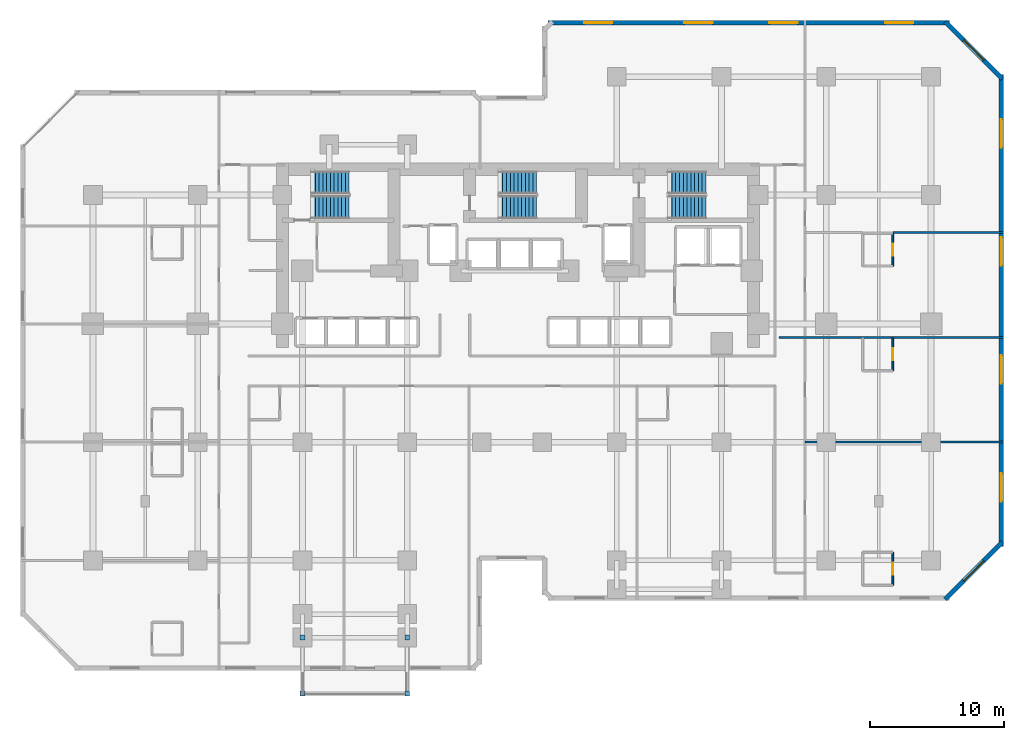
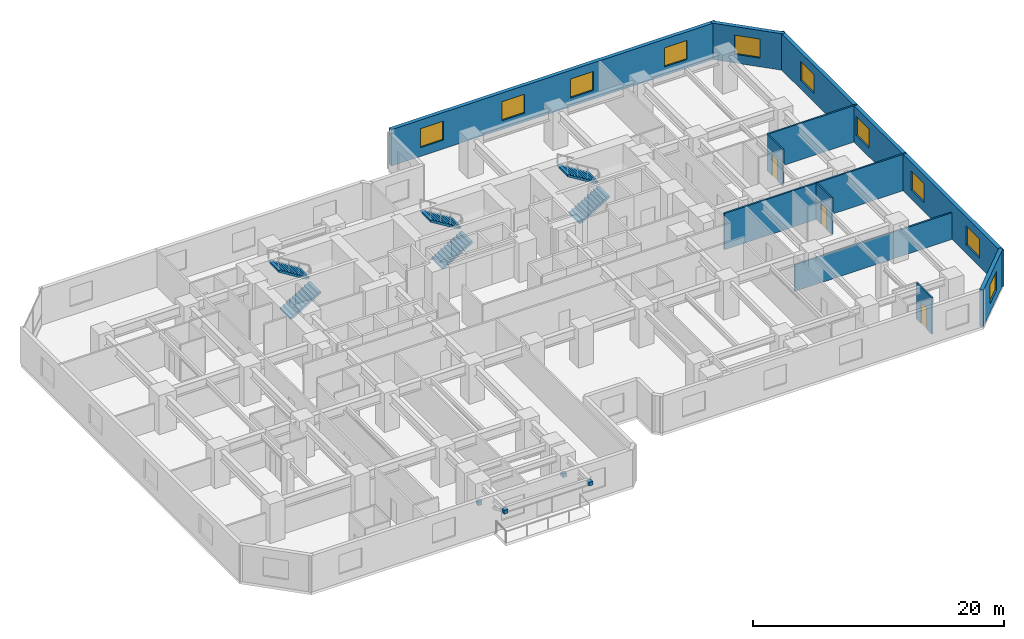
# One storey, part 9 of 11: 10 walls, 10 windows, 6 stair flights, 4 discrete accessories, 3 doors, 13 openings, 3 elements without a shape of their own.
"""IFC4 building model written with IfcOpenShell, lengths in metres."""

from ifc_helpers import new_model, si_unit, direction, frame, frame_2d, origin, origin_2d, place, context, subcontext, project, spatial, polyline, rectangle, outline, extrude, material, layer, layer_set, type_object, element, fill, aggregate, save


model = new_model("IFC4")

# Units and contexts
model_context = context("Model", 3, precision=1e-05, world=origin(), true_north=direction((0.0, 1.0)))
body_context = subcontext(model_context, "Body", "Model", "MODEL_VIEW")
ifc_project = project(units=[si_unit("LENGTHUNIT", "METRE"), si_unit("AREAUNIT", "SQUARE_METRE"), si_unit("VOLUMEUNIT", "CUBIC_METRE"), si_unit("PLANEANGLEUNIT", "RADIAN"), si_unit("MASSUNIT", "GRAM", prefix="KILO")], contexts=[model_context])

# Site, building, storey
site_placement = place(None, origin())
site = spatial("IfcSite", under=ifc_project, at=site_placement, CompositionType="ELEMENT")
building_placement = place(site_placement, origin())
building = spatial("IfcBuilding", under=site, at=building_placement, Name="Kestravale Grand Hotel", CompositionType="ELEMENT")
storey_placement = place(building_placement, frame((0.0, 0.0, 29.800048828125)))
storey = spatial("IfcBuildingStorey", under=building, at=storey_placement, Name="L06", CompositionType="ELEMENT", Elevation=29.800048828125)

# Wall, opening, window
ifc_material_1 = material(Name="Precast concrete f'c 45 MPa", Category="concrete")
ifc_layer_1 = layer(ifc_material_1, 0.340087890625)
ifc_layer_set_1 = layer_set([ifc_layer_1], Name="EW-PREC-340")
wall_type_1 = type_object("IfcWallType", Name="EW-PREC-340", PredefinedType="SOLIDWALL", material=ifc_layer_set_1)
wall_1_placement = place(storey_placement, frame((71.25146484375, 8.2919921875, 0.0), z_axis=(0.0, 0.0, 1.0), x_axis=(0.707106781187, 0.707106781187, 0.0)))
wall_1 = element("IfcWall", 1, at=wall_1_placement, inside=storey, type_object=wall_type_1, Name="L06 fluted precast facade wall 8", PredefinedType="SOLIDWALL", context=body_context, shape_type="SweptSolid", body=[
    extrude(rectangle(XDim=6.019775390625, YDim=0.340087890625, at=frame_2d((3.009765625, 0.0))), origin(), (0.0, 0.0, 1.0), 3.5400390625),
])
opening_1_placement = place(wall_1_placement, frame((1.9599609375, 0.0, 0.85009765625)))
opening_1 = element("IfcOpeningElement", 2, at=opening_1_placement, cuts=wall_1, Name="Opening W-GUEST-2100", PredefinedType="OPENING", context=body_context, shape_type="SweptSolid", body=[
    extrude(rectangle(XDim=2.10009765625, YDim=1.85009765625, at=frame_2d((1.050048828125, 0.925048828125))), frame((0.0, 0.179931640625, 0.0), z_axis=(0.0, -1.0, 0.0), x_axis=(1.0, 0.0, 0.0)), (0.0, 0.0, 1.0), 0.360107421875),
])
ifc_material_2 = material(Name="Insulated low-E double glazing in aluminium frame", Category="aluminium")
window_type = type_object("IfcWindowType", Name="W-GUEST-2100", PartitioningType="DOUBLE_PANEL_VERTICAL", PredefinedType="WINDOW", material=ifc_material_2)
window_1_placement = place(opening_1_placement, origin())
window_1 = element("IfcWindow", 3, at=window_1_placement, inside=storey, type_object=window_type, Name="L06 exterior window 8.1", OverallHeight=1.85009765625, OverallWidth=2.10009765625, PartitioningType="SINGLE_PANEL", PredefinedType="WINDOW", context=body_context, shape_type="SweptSolid", body=[
    extrude(rectangle(XDim=2.10009765625, YDim=1.85009765625, at=frame_2d((1.050048828125, 0.925048828125))), frame((0.0, 0.030029296875, 0.0), z_axis=(0.0, -1.0, 0.0), x_axis=(1.0, 0.0, 0.0)), (0.0, 0.0, 1.0), 0.06005859375),
])
fill(opening_1, window_1)

# Wall, openings, windows
wall_2_placement = place(storey_placement, frame((75.429931640625, 12.22998046875, 0.0), z_axis=(0.0, 0.0, 1.0), x_axis=(0.0, 1.0, 0.0)))
wall_2 = element("IfcWall", 4, at=wall_2_placement, inside=storey, type_object=wall_type_1, Name="L06 fluted precast facade wall 9", PredefinedType="SOLIDWALL", context=body_context, shape_type="SweptSolid", body=[
    extrude(rectangle(XDim=35.14013671875, YDim=0.340087890625, at=frame_2d((17.570068359375, 0.0))), origin(), (0.0, 0.0, 1.0), 3.5400390625),
])
opening_2_placement = place(wall_2_placement, frame((3.342529296875, 0.0, 0.85009765625)))
opening_2 = element("IfcOpeningElement", 5, at=opening_2_placement, cuts=wall_2, Name="Opening W-GUEST-2100", PredefinedType="OPENING", context=body_context, shape_type="SweptSolid", body=[
    extrude(rectangle(XDim=2.10009765625, YDim=1.85009765625, at=frame_2d((1.050048828125, 0.925048828125))), frame((0.0, 0.179931640625, 0.0), z_axis=(0.0, -1.0, 0.0), x_axis=(1.0, 0.0, 0.0)), (0.0, 0.0, 1.0), 0.360107421875),
])
opening_3_placement = place(wall_2_placement, frame((12.12744140625, 0.0, 0.85009765625)))
opening_3 = element("IfcOpeningElement", 6, at=opening_3_placement, cuts=wall_2, Name="Opening W-GUEST-2100", PredefinedType="OPENING", context=body_context, shape_type="SweptSolid", body=[
    extrude(rectangle(XDim=2.10009765625, YDim=1.85009765625, at=frame_2d((1.050048828125, 0.925048828125))), frame((0.0, 0.179931640625, 0.0), z_axis=(0.0, -1.0, 0.0), x_axis=(1.0, 0.0, 0.0)), (0.0, 0.0, 1.0), 0.360107421875),
])
opening_4_placement = place(wall_2_placement, frame((20.91259765625, 0.0, 0.85009765625)))
opening_4 = element("IfcOpeningElement", 7, at=opening_4_placement, cuts=wall_2, Name="Opening W-GUEST-2100", PredefinedType="OPENING", context=body_context, shape_type="SweptSolid", body=[
    extrude(rectangle(XDim=2.10009765625, YDim=1.85009765625, at=frame_2d((1.050048828125, 0.925048828125))), frame((0.0, 0.179931640625, 0.0), z_axis=(0.0, -1.0, 0.0), x_axis=(1.0, 0.0, 0.0)), (0.0, 0.0, 1.0), 0.360107421875),
])
opening_5_placement = place(wall_2_placement, frame((29.697509765625, 0.0, 0.85009765625)))
opening_5 = element("IfcOpeningElement", 8, at=opening_5_placement, cuts=wall_2, Name="Opening W-GUEST-2100", PredefinedType="OPENING", context=body_context, shape_type="SweptSolid", body=[
    extrude(rectangle(XDim=2.10009765625, YDim=1.85009765625, at=frame_2d((1.050048828125, 0.925048828125))), frame((0.0, 0.179931640625, 0.0), z_axis=(0.0, -1.0, 0.0), x_axis=(1.0, 0.0, 0.0)), (0.0, 0.0, 1.0), 0.360107421875),
])
window_2_placement = place(opening_2_placement, origin())
window_2 = element("IfcWindow", 9, at=window_2_placement, inside=storey, type_object=window_type, Name="L06 exterior window 9.1", OverallHeight=1.85009765625, OverallWidth=2.10009765625, PartitioningType="SINGLE_PANEL", PredefinedType="WINDOW", context=body_context, shape_type="SweptSolid", body=[
    extrude(rectangle(XDim=2.10009765625, YDim=1.85009765625, at=frame_2d((1.050048828125, 0.925048828125))), frame((0.0, 0.030029296875, 0.0), z_axis=(0.0, -1.0, 0.0), x_axis=(1.0, 0.0, 0.0)), (0.0, 0.0, 1.0), 0.06005859375),
])
fill(opening_2, window_2)
window_3_placement = place(opening_3_placement, origin())
window_3 = element("IfcWindow", 10, at=window_3_placement, inside=storey, type_object=window_type, Name="L06 exterior window 9.2", OverallHeight=1.85009765625, OverallWidth=2.10009765625, PartitioningType="SINGLE_PANEL", PredefinedType="WINDOW", context=body_context, shape_type="SweptSolid", body=[
    extrude(rectangle(XDim=2.10009765625, YDim=1.85009765625, at=frame_2d((1.050048828125, 0.925048828125))), frame((0.0, 0.030029296875, 0.0), z_axis=(0.0, -1.0, 0.0), x_axis=(1.0, 0.0, 0.0)), (0.0, 0.0, 1.0), 0.06005859375),
])
fill(opening_3, window_3)
window_4_placement = place(opening_4_placement, origin())
window_4 = element("IfcWindow", 11, at=window_4_placement, inside=storey, type_object=window_type, Name="L06 exterior window 9.3", OverallHeight=1.85009765625, OverallWidth=2.10009765625, PartitioningType="SINGLE_PANEL", PredefinedType="WINDOW", context=body_context, shape_type="SweptSolid", body=[
    extrude(rectangle(XDim=2.10009765625, YDim=1.85009765625, at=frame_2d((1.050048828125, 0.925048828125))), frame((0.0, 0.030029296875, 0.0), z_axis=(0.0, -1.0, 0.0), x_axis=(1.0, 0.0, 0.0)), (0.0, 0.0, 1.0), 0.06005859375),
])
fill(opening_4, window_4)
window_5_placement = place(opening_5_placement, origin())
window_5 = element("IfcWindow", 12, at=window_5_placement, inside=storey, type_object=window_type, Name="L06 exterior window 9.4", OverallHeight=1.85009765625, OverallWidth=2.10009765625, PartitioningType="SINGLE_PANEL", PredefinedType="WINDOW", context=body_context, shape_type="SweptSolid", body=[
    extrude(rectangle(XDim=2.10009765625, YDim=1.85009765625, at=frame_2d((1.050048828125, 0.925048828125))), frame((0.0, 0.030029296875, 0.0), z_axis=(0.0, -1.0, 0.0), x_axis=(1.0, 0.0, 0.0)), (0.0, 0.0, 1.0), 0.06005859375),
])
fill(opening_5, window_5)

# Wall, opening, window
wall_3_placement = place(storey_placement, frame((75.508056640625, 47.051513671875, 0.0), z_axis=(0.0, 0.0, 1.0), x_axis=(-0.707106781187, 0.707106781187, 0.0)))
wall_3 = element("IfcWall", 13, at=wall_3_placement, inside=storey, type_object=wall_type_1, Name="L06 fluted precast facade wall 10", PredefinedType="SOLIDWALL", context=body_context, shape_type="SweptSolid", body=[
    extrude(rectangle(XDim=6.019775390625, YDim=0.340087890625, at=frame_2d((3.009765625, 0.0))), origin(), (0.0, 0.0, 1.0), 3.5400390625),
])
opening_6_placement = place(wall_3_placement, frame((1.9599609375, 0.0, 0.85009765625)))
opening_6 = element("IfcOpeningElement", 14, at=opening_6_placement, cuts=wall_3, Name="Opening W-GUEST-2100", PredefinedType="OPENING", context=body_context, shape_type="SweptSolid", body=[
    extrude(rectangle(XDim=2.10009765625, YDim=1.85009765625, at=frame_2d((1.050048828125, 0.925048828125))), frame((0.0, 0.179931640625, 0.0), z_axis=(0.0, -1.0, 0.0), x_axis=(1.0, 0.0, 0.0)), (0.0, 0.0, 1.0), 0.360107421875),
])
window_6_placement = place(opening_6_placement, origin())
window_6 = element("IfcWindow", 15, at=window_6_placement, inside=storey, type_object=window_type, Name="L06 exterior window 10.1", OverallHeight=1.85009765625, OverallWidth=2.10009765625, PartitioningType="SINGLE_PANEL", PredefinedType="WINDOW", context=body_context, shape_type="SweptSolid", body=[
    extrude(rectangle(XDim=2.10009765625, YDim=1.85009765625, at=frame_2d((1.050048828125, 0.925048828125))), frame((0.0, 0.030029296875, 0.0), z_axis=(0.0, -1.0, 0.0), x_axis=(1.0, 0.0, 0.0)), (0.0, 0.0, 1.0), 0.06005859375),
])
fill(opening_6, window_6)

# Wall, openings, windows
wall_4_placement = place(storey_placement, frame((71.570068359375, 51.22998046875, 0.0), z_axis=(0.0, 0.0, 1.0), x_axis=(-1.0, 0.0, 0.0)))
wall_4 = element("IfcWall", 16, at=wall_4_placement, inside=storey, type_object=wall_type_1, Name="L06 fluted precast facade wall 11", PredefinedType="SOLIDWALL", context=body_context, shape_type="SweptSolid", body=[
    extrude(rectangle(XDim=29.89013671875, YDim=0.340087890625, at=frame_2d((14.945068359375, 0.0))), origin(), (0.0, 0.0, 1.0), 3.5400390625),
])
opening_7_placement = place(wall_4_placement, frame((2.686279296875, 0.0, 0.85009765625)))
opening_7 = element("IfcOpeningElement", 17, at=opening_7_placement, cuts=wall_4, Name="Opening W-GUEST-2100", PredefinedType="OPENING", context=body_context, shape_type="SweptSolid", body=[
    extrude(rectangle(XDim=2.10009765625, YDim=1.85009765625, at=frame_2d((1.050048828125, 0.925048828125))), frame((0.0, 0.179931640625, 0.0), z_axis=(0.0, -1.0, 0.0), x_axis=(1.0, 0.0, 0.0)), (0.0, 0.0, 1.0), 0.360107421875),
])
opening_8_placement = place(wall_4_placement, frame((11.30859375, 0.0, 0.85009765625)))
opening_8 = element("IfcOpeningElement", 18, at=opening_8_placement, cuts=wall_4, Name="Opening W-GUEST-2100", PredefinedType="OPENING", context=body_context, shape_type="SweptSolid", body=[
    extrude(rectangle(XDim=2.10009765625, YDim=1.85009765625, at=frame_2d((1.050048828125, 0.925048828125))), frame((0.0, 0.179931640625, 0.0), z_axis=(0.0, -1.0, 0.0), x_axis=(1.0, 0.0, 0.0)), (0.0, 0.0, 1.0), 0.360107421875),
])
opening_9_placement = place(wall_4_placement, frame((17.631103515625, 0.0, 0.85009765625)))
opening_9 = element("IfcOpeningElement", 19, at=opening_9_placement, cuts=wall_4, Name="Opening W-GUEST-2100", PredefinedType="OPENING", context=body_context, shape_type="SweptSolid", body=[
    extrude(rectangle(XDim=2.10009765625, YDim=1.85009765625, at=frame_2d((1.050048828125, 0.925048828125))), frame((0.0, 0.179931640625, 0.0), z_axis=(0.0, -1.0, 0.0), x_axis=(1.0, 0.0, 0.0)), (0.0, 0.0, 1.0), 0.360107421875),
])
opening_10_placement = place(wall_4_placement, frame((25.103759765625, 0.0, 0.85009765625)))
opening_10 = element("IfcOpeningElement", 20, at=opening_10_placement, cuts=wall_4, Name="Opening W-GUEST-2100", PredefinedType="OPENING", context=body_context, shape_type="SweptSolid", body=[
    extrude(rectangle(XDim=2.10009765625, YDim=1.85009765625, at=frame_2d((1.050048828125, 0.925048828125))), frame((0.0, 0.179931640625, 0.0), z_axis=(0.0, -1.0, 0.0), x_axis=(1.0, 0.0, 0.0)), (0.0, 0.0, 1.0), 0.360107421875),
])
window_7_placement = place(opening_7_placement, origin())
window_7 = element("IfcWindow", 21, at=window_7_placement, inside=storey, type_object=window_type, Name="L06 exterior window 11.1", OverallHeight=1.85009765625, OverallWidth=2.10009765625, PartitioningType="SINGLE_PANEL", PredefinedType="WINDOW", context=body_context, shape_type="SweptSolid", body=[
    extrude(rectangle(XDim=2.10009765625, YDim=1.85009765625, at=frame_2d((1.050048828125, 0.925048828125))), frame((0.0, 0.030029296875, 0.0), z_axis=(0.0, -1.0, 0.0), x_axis=(1.0, 0.0, 0.0)), (0.0, 0.0, 1.0), 0.06005859375),
])
fill(opening_7, window_7)
window_8_placement = place(opening_8_placement, origin())
window_8 = element("IfcWindow", 22, at=window_8_placement, inside=storey, type_object=window_type, Name="L06 exterior window 11.2", OverallHeight=1.85009765625, OverallWidth=2.10009765625, PartitioningType="SINGLE_PANEL", PredefinedType="WINDOW", context=body_context, shape_type="SweptSolid", body=[
    extrude(rectangle(XDim=2.10009765625, YDim=1.85009765625, at=frame_2d((1.050048828125, 0.925048828125))), frame((0.0, 0.030029296875, 0.0), z_axis=(0.0, -1.0, 0.0), x_axis=(1.0, 0.0, 0.0)), (0.0, 0.0, 1.0), 0.06005859375),
])
fill(opening_8, window_8)
window_9_placement = place(opening_9_placement, origin())
window_9 = element("IfcWindow", 23, at=window_9_placement, inside=storey, type_object=window_type, Name="L06 exterior window 11.3", OverallHeight=1.85009765625, OverallWidth=2.10009765625, PartitioningType="SINGLE_PANEL", PredefinedType="WINDOW", context=body_context, shape_type="SweptSolid", body=[
    extrude(rectangle(XDim=2.10009765625, YDim=1.85009765625, at=frame_2d((1.050048828125, 0.925048828125))), frame((0.0, 0.030029296875, 0.0), z_axis=(0.0, -1.0, 0.0), x_axis=(1.0, 0.0, 0.0)), (0.0, 0.0, 1.0), 0.06005859375),
])
fill(opening_9, window_9)
window_10_placement = place(opening_10_placement, origin())
window_10 = element("IfcWindow", 24, at=window_10_placement, inside=storey, type_object=window_type, Name="L06 exterior window 11.4", OverallHeight=1.85009765625, OverallWidth=2.10009765625, PartitioningType="SINGLE_PANEL", PredefinedType="WINDOW", context=body_context, shape_type="SweptSolid", body=[
    extrude(rectangle(XDim=2.10009765625, YDim=1.85009765625, at=frame_2d((1.050048828125, 0.925048828125))), frame((0.0, 0.030029296875, 0.0), z_axis=(0.0, -1.0, 0.0), x_axis=(1.0, 0.0, 0.0)), (0.0, 0.0, 1.0), 0.06005859375),
])
fill(opening_10, window_10)

# Wall, opening, door
ifc_material_3 = material(Name="Moisture-resistant tile-backer plumbing chase wall", Category="other")
ifc_layer_2 = layer(ifc_material_3, 0.139892578125)
ifc_layer_set_2 = layer_set([ifc_layer_2], Name="IW-PLB-140")
wall_type_2 = type_object("IfcWallType", Name="IW-PLB-140", PredefinedType="PLUMBINGWALL", material=ifc_layer_set_2)
wall_5_placement = place(storey_placement, frame((67.35009765625, 9.35009765625, 0.0), z_axis=(0.0, 0.0, 1.0), x_axis=(0.0, 1.0, 0.0)))
wall_5 = element("IfcWall", 25, at=wall_5_placement, inside=storey, type_object=wall_type_2, Name="W-L06-U07-BE", PredefinedType="PLUMBINGWALL", context=body_context, shape_type="SweptSolid", body=[
    extrude(rectangle(XDim=2.449951171875, YDim=0.139892578125, at=frame_2d((1.22509765625, 0.0))), origin(), (0.0, 0.0, 1.0), 3.5400390625),
])
opening_11_placement = place(wall_5_placement, frame((0.784912109375, 0.0, 0.0)))
opening_11 = element("IfcOpeningElement", 26, at=opening_11_placement, cuts=wall_5, Name="Opening D-BATH-880", PredefinedType="OPENING", context=body_context, shape_type="SweptSolid", body=[
    extrude(rectangle(XDim=0.8798828125, YDim=2.050048828125, at=frame_2d((0.43994140625, 1.02490234375))), frame((0.0, 0.079833984375, 0.0), z_axis=(0.0, -1.0, 0.0), x_axis=(1.0, 0.0, 0.0)), (0.0, 0.0, 1.0), 0.159912109375),
])
ifc_material_4 = material(Name="Moisture-sealed walnut en-suite bathroom door", Category="wood")
door_type = type_object("IfcDoorType", Name="D-BATH-880", OperationType="NOTDEFINED", PredefinedType="DOOR", material=ifc_material_4)
door_1_placement = place(opening_11_placement, origin())
door_1 = element("IfcDoor", 27, at=door_1_placement, inside=storey, type_object=door_type, Name="D-L06-U07-BATH", OperationType="SINGLE_SWING_LEFT", OverallHeight=2.050048828125, OverallWidth=0.8798828125, PredefinedType="DOOR", context=body_context, shape_type="SweptSolid", body=[
    extrude(rectangle(XDim=0.8798828125, YDim=2.050048828125, at=frame_2d((0.43994140625, 1.02490234375))), frame((0.0, 0.02490234375, 0.0), z_axis=(0.0, -1.0, 0.0), x_axis=(1.0, 0.0, 0.0)), (0.0, 0.0, 1.0), 0.050048828125),
])
fill(opening_11, door_1)

wall_6_placement = place(storey_placement, frame((67.35009765625, 25.31005859375, 0.0), z_axis=(0.0, 0.0, 1.0), x_axis=(0.0, 1.0, 0.0)))
wall_6 = element("IfcWall", 28, at=wall_6_placement, inside=storey, type_object=wall_type_2, Name="W-L06-U08-BE", PredefinedType="PLUMBINGWALL", context=body_context, shape_type="SweptSolid", body=[
    extrude(rectangle(XDim=2.449951171875, YDim=0.139892578125, at=frame_2d((1.22509765625, 0.0))), origin(), (0.0, 0.0, 1.0), 3.5400390625),
])
opening_12_placement = place(wall_6_placement, frame((0.784912109375, 0.0, 0.0)))
opening_12 = element("IfcOpeningElement", 29, at=opening_12_placement, cuts=wall_6, Name="Opening D-BATH-880", PredefinedType="OPENING", context=body_context, shape_type="SweptSolid", body=[
    extrude(rectangle(XDim=0.8798828125, YDim=2.050048828125, at=frame_2d((0.43994140625, 1.02490234375))), frame((0.0, 0.079833984375, 0.0), z_axis=(0.0, -1.0, 0.0), x_axis=(1.0, 0.0, 0.0)), (0.0, 0.0, 1.0), 0.159912109375),
])
door_2_placement = place(opening_12_placement, origin())
door_2 = element("IfcDoor", 30, at=door_2_placement, inside=storey, type_object=door_type, Name="D-L06-U08-BATH", OperationType="SINGLE_SWING_LEFT", OverallHeight=2.050048828125, OverallWidth=0.8798828125, PredefinedType="DOOR", context=body_context, shape_type="SweptSolid", body=[
    extrude(rectangle(XDim=0.8798828125, YDim=2.050048828125, at=frame_2d((0.43994140625, 1.02490234375))), frame((0.0, 0.02490234375, 0.0), z_axis=(0.0, -1.0, 0.0), x_axis=(1.0, 0.0, 0.0)), (0.0, 0.0, 1.0), 0.050048828125),
])
fill(opening_12, door_2)

wall_7_placement = place(storey_placement, frame((67.35009765625, 33.110107421875, 0.0), z_axis=(0.0, 0.0, 1.0), x_axis=(0.0, 1.0, 0.0)))
wall_7 = element("IfcWall", 31, at=wall_7_placement, inside=storey, type_object=wall_type_2, Name="W-L06-U09-BE", PredefinedType="PLUMBINGWALL", context=body_context, shape_type="SweptSolid", body=[
    extrude(rectangle(XDim=2.449951171875, YDim=0.139892578125, at=frame_2d((1.22509765625, 0.0))), origin(), (0.0, 0.0, 1.0), 3.5400390625),
])
opening_13_placement = place(wall_7_placement, frame((0.784912109375, 0.0, 0.0)))
opening_13 = element("IfcOpeningElement", 32, at=opening_13_placement, cuts=wall_7, Name="Opening D-BATH-880", PredefinedType="OPENING", context=body_context, shape_type="SweptSolid", body=[
    extrude(rectangle(XDim=0.8798828125, YDim=2.050048828125, at=frame_2d((0.43994140625, 1.02490234375))), frame((0.0, 0.079833984375, 0.0), z_axis=(0.0, -1.0, 0.0), x_axis=(1.0, 0.0, 0.0)), (0.0, 0.0, 1.0), 0.159912109375),
])
door_3_placement = place(opening_13_placement, origin())
door_3 = element("IfcDoor", 33, at=door_3_placement, inside=storey, type_object=door_type, Name="D-L06-U09-BATH", OperationType="SINGLE_SWING_LEFT", OverallHeight=2.050048828125, OverallWidth=0.8798828125, PredefinedType="DOOR", context=body_context, shape_type="SweptSolid", body=[
    extrude(rectangle(XDim=0.8798828125, YDim=2.050048828125, at=frame_2d((0.43994140625, 1.02490234375))), frame((0.0, 0.02490234375, 0.0), z_axis=(0.0, -1.0, 0.0), x_axis=(1.0, 0.0, 0.0)), (0.0, 0.0, 1.0), 0.050048828125),
])
fill(opening_13, door_3)

# Walls
ifc_material_5 = material(Name="Double-stud STC 52 acoustic demising partition", Category="other")
ifc_layer_3 = layer(ifc_material_5, 0.14990234375)
ifc_layer_set_3 = layer_set([ifc_layer_3], Name="IW-UNIT-150")
wall_type_3 = type_object("IfcWallType", Name="IW-UNIT-150", PredefinedType="PARTITIONING", material=ifc_layer_set_3)
wall_8_placement = place(storey_placement, frame((60.81005859375, 20.0, 0.0), z_axis=(0.0, 0.0, 1.0), x_axis=(1.0, 0.0, 0.0)))
element("IfcWall", 34, at=wall_8_placement, inside=storey, type_object=wall_type_3, Name="W-L06-EW-1", PredefinedType="PARTITIONING", context=body_context, shape_type="SweptSolid", body=[
    extrude(rectangle(XDim=14.77001953125, YDim=0.14990234375, at=frame_2d((7.385009765625, 0.0))), origin(), (0.0, 0.0, 1.0), 2.593017578125),
])
wall_9_placement = place(storey_placement, frame((58.860107421875, 27.800048828125, 0.0), z_axis=(0.0, 0.0, 1.0), x_axis=(1.0, 0.0, 0.0)))
element("IfcWall", 35, at=wall_9_placement, inside=storey, type_object=wall_type_3, Name="W-L06-ASPL-8", PredefinedType="PARTITIONING", context=body_context, shape_type="SweptSolid", body=[
    extrude(rectangle(XDim=16.719970703125, YDim=0.14990234375, at=frame_2d((8.35986328125, 0.0))), origin(), (0.0, 0.0, 1.0), 3.5400390625),
])
wall_10_placement = place(storey_placement, frame((67.35009765625, 35.60009765625, 0.0), z_axis=(0.0, 0.0, 1.0), x_axis=(1.0, 0.0, 0.0)))
element("IfcWall", 36, at=wall_10_placement, inside=storey, type_object=wall_type_3, Name="W-L06-EW-2", PredefinedType="PARTITIONING", context=body_context, shape_type="SweptSolid", body=[
    extrude(rectangle(XDim=8.22998046875, YDim=0.14990234375, at=frame_2d((4.114990234375, 0.0))), origin(), (0.0, 0.0, 1.0), 3.5400390625),
])

# Stair, stair flights
ifc_material_6 = material(Name="Concrete f'c 45 MPa", Category="concrete")
stair_type = type_object("IfcStairType", Name="ST-CORE-380", PredefinedType="HALF_TURN_STAIR", material=ifc_material_6)
stair_1_placement = place(storey_placement, origin())
stair_1 = element("IfcStair", 37, at=stair_1_placement, inside=storey, type_object=stair_type, Name="L06 ST-1", PredefinedType="HALF_TURN_STAIR")
ifc_material_7 = material(Name="Concrete f'c 45 MPa", Category="concrete")
stair_flight_type = type_object("IfcStairFlightType", Name="STF-CORE-380", PredefinedType="STRAIGHT", material=ifc_material_7)
stair_flight_1_placement = place(storey_placement, frame((24.080078125, 37.489990234375, 0.0), z_axis=(0.0, 0.0, 1.0), x_axis=(1.0, 0.0, 0.0)))
stair_flight_1 = element("IfcStairFlight", 38, at=stair_flight_1_placement, type_object=stair_flight_type, Name="ST-1 flight 1", NumberOfRisers=11, NumberOfTreads=10, PredefinedType="STRAIGHT", RiserHeight=0.172727273, TreadLength=0.28, context=body_context, shape_type="SweptSolid", body=[
    extrude(outline(polyline([(0.0, 0.0), (0.0, 0.172607421875), (0.280029296875, 0.172607421875), (0.280029296875, 0.345458984375), (0.56005859375, 0.345458984375), (0.56005859375, 0.51806640625), (0.840087890625, 0.51806640625), (0.840087890625, 0.69091796875), (1.1201171875, 0.69091796875), (1.1201171875, 0.863525390625), (1.39990234375, 0.863525390625), (1.39990234375, 1.036376953125), (1.679931640625, 1.036376953125), (1.679931640625, 1.208984375), (1.9599609375, 1.208984375), (1.9599609375, 1.3818359375), (2.239990234375, 1.3818359375), (2.239990234375, 1.554443359375), (2.52001953125, 1.554443359375), (2.52001953125, 1.727294921875), (2.800048828125, 1.727294921875), (2.800048828125, 1.89990234375), (2.800048828125, 1.551025390625), (0.285400390625, 0.0), (0.0, 0.0)])), frame((0.0, 0.83984375, 0.0), z_axis=(0.0, -1.0, 0.0), x_axis=(1.0, 0.0, 0.0)), (0.0, 0.0, 1.0), 1.679931640625),
])
stair_flight_2_placement = place(storey_placement, frame((26.8798828125, 39.320068359375, 1.89990234375), z_axis=(0.0, 0.0, 1.0), x_axis=(-1.0, 0.0, 0.0)))
stair_flight_2 = element("IfcStairFlight", 39, at=stair_flight_2_placement, type_object=stair_flight_type, Name="ST-1 flight 2", NumberOfRisers=11, NumberOfTreads=10, PredefinedType="STRAIGHT", RiserHeight=0.172727273, TreadLength=0.28, context=body_context, shape_type="SweptSolid", body=[
    extrude(outline(polyline([(0.0, 0.0), (0.0, 0.172607421875), (0.280029296875, 0.172607421875), (0.280029296875, 0.345458984375), (0.56005859375, 0.345458984375), (0.56005859375, 0.51806640625), (0.840087890625, 0.51806640625), (0.840087890625, 0.69091796875), (1.1201171875, 0.69091796875), (1.1201171875, 0.863525390625), (1.39990234375, 0.863525390625), (1.39990234375, 1.036376953125), (1.679931640625, 1.036376953125), (1.679931640625, 1.208984375), (1.9599609375, 1.208984375), (1.9599609375, 1.3818359375), (2.239990234375, 1.3818359375), (2.239990234375, 1.554443359375), (2.52001953125, 1.554443359375), (2.52001953125, 1.727294921875), (2.800048828125, 1.727294921875), (2.800048828125, 1.89990234375), (2.800048828125, 1.551025390625), (0.285400390625, 0.0), (0.0, 0.0)])), frame((0.0, 0.83984375, 0.0), z_axis=(0.0, -1.0, 0.0), x_axis=(1.0, 0.0, 0.0)), (0.0, 0.0, 1.0), 1.679931640625),
])
aggregate(stair_1, [stair_flight_1, stair_flight_2])

stair_2_placement = place(storey_placement, origin())
stair_2 = element("IfcStair", 40, at=stair_2_placement, inside=storey, type_object=stair_type, Name="L06 ST-2", PredefinedType="HALF_TURN_STAIR")
stair_flight_3_placement = place(storey_placement, frame((38.030029296875, 37.489990234375, 0.0), z_axis=(0.0, 0.0, 1.0), x_axis=(1.0, 0.0, 0.0)))
stair_flight_3 = element("IfcStairFlight", 41, at=stair_flight_3_placement, type_object=stair_flight_type, Name="ST-2 flight 1", NumberOfRisers=11, NumberOfTreads=10, PredefinedType="STRAIGHT", RiserHeight=0.172727273, TreadLength=0.28, context=body_context, shape_type="SweptSolid", body=[
    extrude(outline(polyline([(0.0, 0.0), (0.0, 0.172607421875), (0.280029296875, 0.172607421875), (0.280029296875, 0.345458984375), (0.56005859375, 0.345458984375), (0.56005859375, 0.51806640625), (0.840087890625, 0.51806640625), (0.840087890625, 0.69091796875), (1.1201171875, 0.69091796875), (1.1201171875, 0.863525390625), (1.39990234375, 0.863525390625), (1.39990234375, 1.036376953125), (1.679931640625, 1.036376953125), (1.679931640625, 1.208984375), (1.9599609375, 1.208984375), (1.9599609375, 1.3818359375), (2.239990234375, 1.3818359375), (2.239990234375, 1.554443359375), (2.52001953125, 1.554443359375), (2.52001953125, 1.727294921875), (2.800048828125, 1.727294921875), (2.800048828125, 1.89990234375), (2.800048828125, 1.551025390625), (0.285400390625, 0.0), (0.0, 0.0)])), frame((0.0, 0.83984375, 0.0), z_axis=(0.0, -1.0, 0.0), x_axis=(1.0, 0.0, 0.0)), (0.0, 0.0, 1.0), 1.679931640625),
])
stair_flight_4_placement = place(storey_placement, frame((40.830078125, 39.320068359375, 1.89990234375), z_axis=(0.0, 0.0, 1.0), x_axis=(-1.0, 0.0, 0.0)))
stair_flight_4 = element("IfcStairFlight", 42, at=stair_flight_4_placement, type_object=stair_flight_type, Name="ST-2 flight 2", NumberOfRisers=11, NumberOfTreads=10, PredefinedType="STRAIGHT", RiserHeight=0.172727273, TreadLength=0.28, context=body_context, shape_type="SweptSolid", body=[
    extrude(outline(polyline([(0.0, 0.0), (0.0, 0.172607421875), (0.280029296875, 0.172607421875), (0.280029296875, 0.345458984375), (0.56005859375, 0.345458984375), (0.56005859375, 0.51806640625), (0.840087890625, 0.51806640625), (0.840087890625, 0.69091796875), (1.1201171875, 0.69091796875), (1.1201171875, 0.863525390625), (1.39990234375, 0.863525390625), (1.39990234375, 1.036376953125), (1.679931640625, 1.036376953125), (1.679931640625, 1.208984375), (1.9599609375, 1.208984375), (1.9599609375, 1.3818359375), (2.239990234375, 1.3818359375), (2.239990234375, 1.554443359375), (2.52001953125, 1.554443359375), (2.52001953125, 1.727294921875), (2.800048828125, 1.727294921875), (2.800048828125, 1.89990234375), (2.800048828125, 1.551025390625), (0.285400390625, 0.0), (0.0, 0.0)])), frame((0.0, 0.83984375, 0.0), z_axis=(0.0, -1.0, 0.0), x_axis=(1.0, 0.0, 0.0)), (0.0, 0.0, 1.0), 1.679931640625),
])
aggregate(stair_2, [stair_flight_3, stair_flight_4])

stair_3_placement = place(storey_placement, origin())
stair_3 = element("IfcStair", 43, at=stair_3_placement, inside=storey, type_object=stair_type, Name="L06 ST-3", PredefinedType="HALF_TURN_STAIR")
stair_flight_5_placement = place(storey_placement, frame((50.6298828125, 37.489990234375, 0.0), z_axis=(0.0, 0.0, 1.0), x_axis=(1.0, 0.0, 0.0)))
stair_flight_5 = element("IfcStairFlight", 44, at=stair_flight_5_placement, type_object=stair_flight_type, Name="ST-3 flight 1", NumberOfRisers=11, NumberOfTreads=10, PredefinedType="STRAIGHT", RiserHeight=0.172727273, TreadLength=0.28, context=body_context, shape_type="SweptSolid", body=[
    extrude(outline(polyline([(0.0, 0.0), (0.0, 0.172607421875), (0.280029296875, 0.172607421875), (0.280029296875, 0.345458984375), (0.56005859375, 0.345458984375), (0.56005859375, 0.51806640625), (0.840087890625, 0.51806640625), (0.840087890625, 0.69091796875), (1.1201171875, 0.69091796875), (1.1201171875, 0.863525390625), (1.39990234375, 0.863525390625), (1.39990234375, 1.036376953125), (1.679931640625, 1.036376953125), (1.679931640625, 1.208984375), (1.9599609375, 1.208984375), (1.9599609375, 1.3818359375), (2.239990234375, 1.3818359375), (2.239990234375, 1.554443359375), (2.52001953125, 1.554443359375), (2.52001953125, 1.727294921875), (2.800048828125, 1.727294921875), (2.800048828125, 1.89990234375), (2.800048828125, 1.551025390625), (0.285400390625, 0.0), (0.0, 0.0)])), frame((0.0, 0.83984375, 0.0), z_axis=(0.0, -1.0, 0.0), x_axis=(1.0, 0.0, 0.0)), (0.0, 0.0, 1.0), 1.679931640625),
])
stair_flight_6_placement = place(storey_placement, frame((53.429931640625, 39.320068359375, 1.89990234375), z_axis=(0.0, 0.0, 1.0), x_axis=(-1.0, 0.0, 0.0)))
stair_flight_6 = element("IfcStairFlight", 45, at=stair_flight_6_placement, type_object=stair_flight_type, Name="ST-3 flight 2", NumberOfRisers=11, NumberOfTreads=10, PredefinedType="STRAIGHT", RiserHeight=0.172727273, TreadLength=0.28, context=body_context, shape_type="SweptSolid", body=[
    extrude(outline(polyline([(0.0, 0.0), (0.0, 0.172607421875), (0.280029296875, 0.172607421875), (0.280029296875, 0.345458984375), (0.56005859375, 0.345458984375), (0.56005859375, 0.51806640625), (0.840087890625, 0.51806640625), (0.840087890625, 0.69091796875), (1.1201171875, 0.69091796875), (1.1201171875, 0.863525390625), (1.39990234375, 0.863525390625), (1.39990234375, 1.036376953125), (1.679931640625, 1.036376953125), (1.679931640625, 1.208984375), (1.9599609375, 1.208984375), (1.9599609375, 1.3818359375), (2.239990234375, 1.3818359375), (2.239990234375, 1.554443359375), (2.52001953125, 1.554443359375), (2.52001953125, 1.727294921875), (2.800048828125, 1.727294921875), (2.800048828125, 1.89990234375), (2.800048828125, 1.551025390625), (0.285400390625, 0.0), (0.0, 0.0)])), frame((0.0, 0.83984375, 0.0), z_axis=(0.0, -1.0, 0.0), x_axis=(1.0, 0.0, 0.0)), (0.0, 0.0, 1.0), 1.679931640625),
])
aggregate(stair_3, [stair_flight_5, stair_flight_6])

# Discrete accessories
ifc_material_8 = material(Name="Steel ASTM A572 Grade 50 hot-dip galvanised bracket", Category="steel")
discrete_accessory_type = type_object("IfcDiscreteAccessoryType", Name="ACC-BRK-STL", PredefinedType="BRACKET", material=ifc_material_8)
for number, where, z_axis, x_axis, name in (
    (46, (23.39990234375, 5.449951171875, 1.19384765625), (0.0, 0.0, 1.0), (1.0, 0.0, 0.0), "L07 terrace strut column bracket 1"),
    (47, (23.39990234375, 1.300048828125, 2.89404296875), (0.0, 0.0, 1.0), (1.0, 0.0, 0.0), "L07 terrace strut beam bracket 1"),
    (48, (31.199951171875, 5.449951171875, 1.19384765625), (0.0, 0.0, 1.0), (1.0, 0.0, 0.0), "L07 terrace strut column bracket 2"),
    (49, (31.199951171875, 1.300048828125, 2.89404296875), (0.0, 0.0, 1.0), (1.0, 0.0, 0.0), "L07 terrace strut beam bracket 2"),
):
    element("IfcDiscreteAccessory", number, at=place(storey_placement, frame(where, z_axis=z_axis, x_axis=x_axis)), inside=storey, type_object=discrete_accessory_type, Name=name, PredefinedType="BRACKET", context=body_context, shape_type="SweptSolid", body=[
        extrude(rectangle(XDim=0.360107421875, YDim=0.360107421875, at=origin_2d()), origin(), (0.0, 0.0, 1.0), 0.360107421875),
    ])

save(model, "model.ifc")
